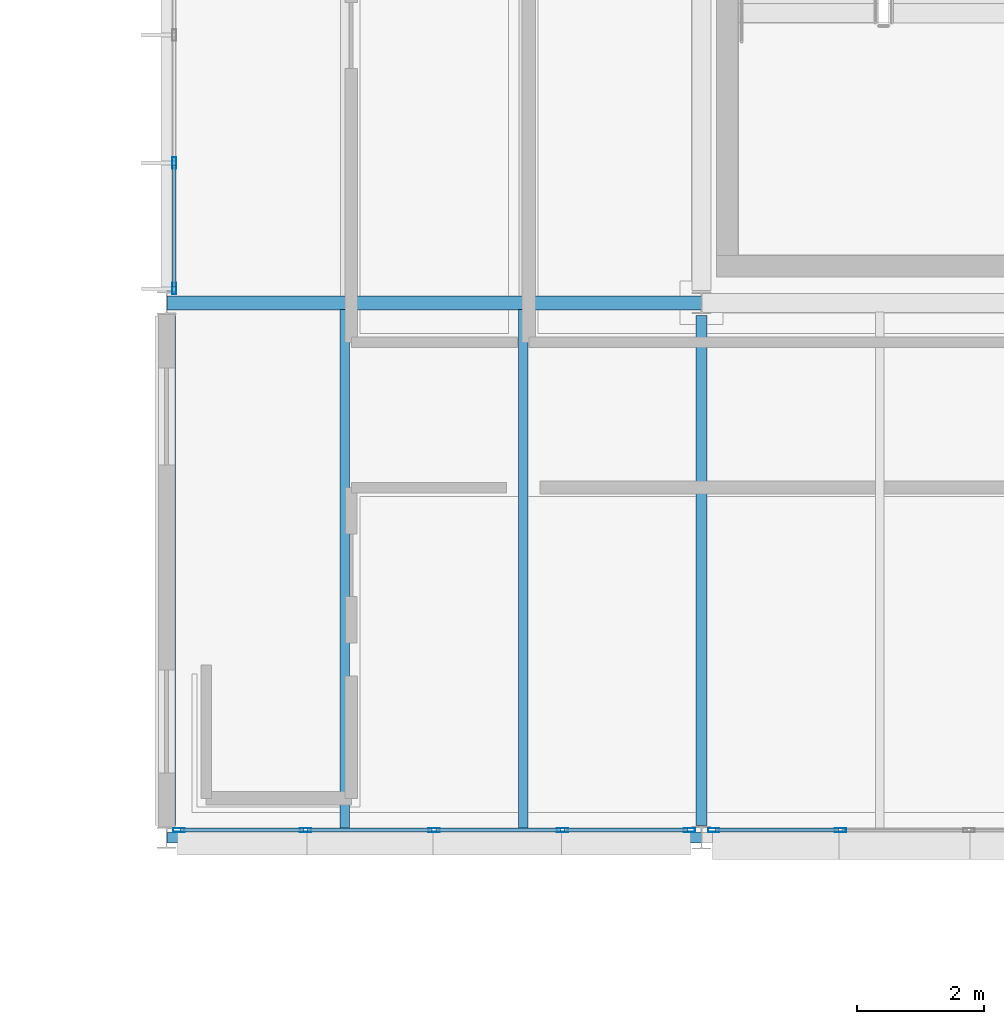
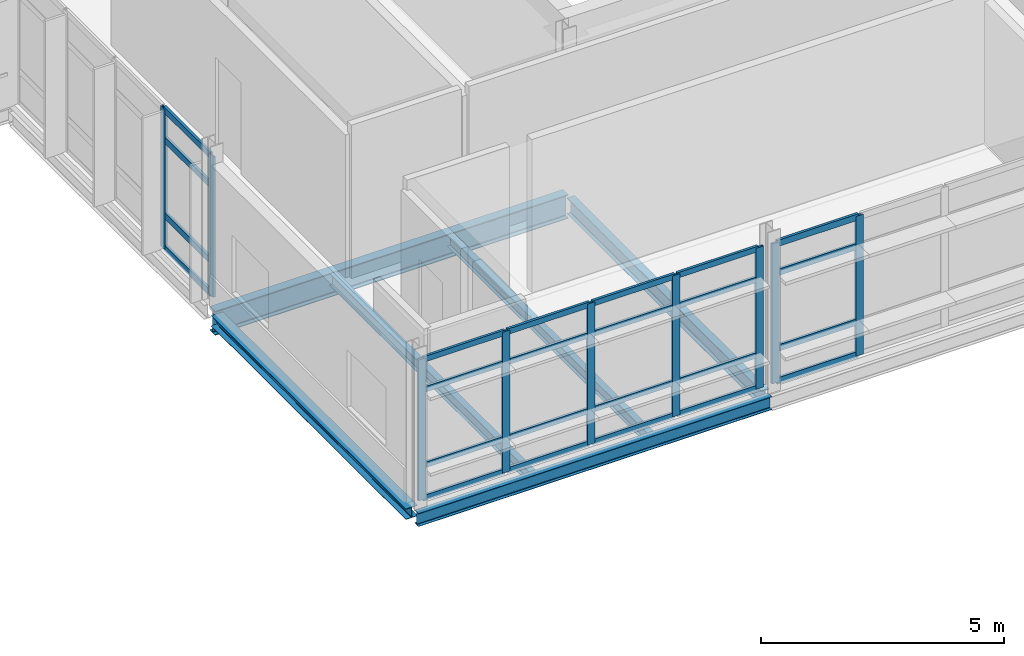
# One storey, part 11 of 57: 33 members, 6 beams, 3 elements without a shape of their own.
"""IFC4 building model written with IfcOpenShell, lengths in metres."""

from ifc_helpers import new_model, si_unit, direction, frame, origin, origin_2d, place, context, subcontext, project, spatial, hollow_rectangle, i_section, extrude, material, material_profile, profile_set, type_object, element, aggregate, save


model = new_model("IFC4")

# Units and contexts
model_context = context("Model", 3, precision=1e-05, world=origin(), true_north=direction((0.0, 1.0)))
body_context = subcontext(model_context, "Body", "Model", "MODEL_VIEW")
ifc_project = project(units=[si_unit("LENGTHUNIT", "METRE"), si_unit("AREAUNIT", "SQUARE_METRE"), si_unit("VOLUMEUNIT", "CUBIC_METRE"), si_unit("PLANEANGLEUNIT", "RADIAN"), si_unit("MASSUNIT", "GRAM", prefix="KILO")], contexts=[model_context])

# Site, building, storey
site_placement = place(None, origin())
site = spatial("IfcSite", under=ifc_project, at=site_placement, CompositionType="ELEMENT")
building_placement = place(site_placement, origin())
building = spatial("IfcBuilding", under=site, at=building_placement, Name="Mersafa Astral City Hall", CompositionType="ELEMENT")
storey_placement = place(building_placement, frame((0.0, 0.0, 26.10009765625)))
storey = spatial("IfcBuildingStorey", under=building, at=storey_placement, Name="L06", CompositionType="ELEMENT", Elevation=26.10009765625)

# Curtain wall, members
ifc_material_1 = material(Name="Anodised bronze aluminium framing", Category="aluminium")
curtain_wall_type_1 = type_object("IfcCurtainWallType", Name="ENV-CW-5", PredefinedType="USERDEFINED", material=ifc_material_1)
curtain_wall_1_placement = place(storey_placement, origin())
curtain_wall_1 = element("IfcCurtainWall", 1, at=curtain_wall_1_placement, inside=storey, type_object=curtain_wall_type_1, Name="L06 Unitised solar curtain wall 250", ObjectType="UNITISED CURTAIN WALL", PredefinedType="USERDEFINED")
ifc_material_profile_1 = material_profile(ifc_material_1, hollow_rectangle(XDim=0.06005859375, YDim=0.179931640625, WallThickness=0.00390625, at=origin_2d()), Name="RHS 60x180x4")
ifc_profile_set_1 = profile_set([ifc_material_profile_1], Name="Anodised bronze aluminium framing")
member_type_1 = type_object("IfcMemberType", Name="ENV-CW-MUL-1", PredefinedType="MULLION", material=ifc_profile_set_1)
member_1_placement = place(storey_placement, frame((142.919921875, 111.3984375, -0.002197265625), z_axis=(0.0, 0.0, 1.0), x_axis=(1.0, 0.0, 0.0)))
member_1 = element("IfcMember", 2, at=member_1_placement, type_object=member_type_1, Name="CW-5 mullion 4", PredefinedType="MULLION", context=body_context, shape_type="SweptSolid", body=[
    extrude(hollow_rectangle(XDim=0.06005859375, YDim=0.179931640625, WallThickness=0.00390625, at=origin_2d()), origin(), (0.0, 0.0, 1.0), 3.524169921875),
])
member_2_placement = place(storey_placement, frame((142.919921875, 109.422119140625, -0.002197265625), z_axis=(0.0, 0.0, 1.0), x_axis=(1.0, 0.0, 0.0)))
member_2 = element("IfcMember", 3, at=member_2_placement, type_object=member_type_1, Name="CW-5 mullion 5", PredefinedType="MULLION", context=body_context, shape_type="SweptSolid", body=[
    extrude(hollow_rectangle(XDim=0.06005859375, YDim=0.179931640625, WallThickness=0.00390625, at=origin_2d()), origin(), (0.0, 0.0, 1.0), 3.524169921875),
])

curtain_wall_type_2 = type_object("IfcCurtainWallType", Name="ENV-CW-6", PredefinedType="USERDEFINED", material=ifc_material_1)
curtain_wall_2_placement = place(storey_placement, origin())
curtain_wall_2 = element("IfcCurtainWall", 4, at=curtain_wall_2_placement, inside=storey, type_object=curtain_wall_type_2, Name="L06 Unitised solar curtain wall 251", ObjectType="UNITISED CURTAIN WALL", PredefinedType="USERDEFINED")
member_3_placement = place(storey_placement, frame((142.991943359375, 100.919921875, -0.002197265625), z_axis=(0.0, 0.0, 1.0), x_axis=(0.0, 1.0, 0.0)))
member_3 = element("IfcMember", 5, at=member_3_placement, type_object=member_type_1, Name="CW-6 mullion 1", PredefinedType="MULLION", context=body_context, shape_type="SweptSolid", body=[
    extrude(hollow_rectangle(XDim=0.06005859375, YDim=0.179931640625, WallThickness=0.00390625, at=origin_2d()), origin(), (0.0, 0.0, 1.0), 3.544189453125),
])
member_4_placement = place(storey_placement, frame((144.98095703125, 100.919921875, -0.002197265625), z_axis=(0.0, 0.0, 1.0), x_axis=(0.0, 1.0, 0.0)))
member_4 = element("IfcMember", 6, at=member_4_placement, type_object=member_type_1, Name="CW-6 mullion 2", PredefinedType="MULLION", context=body_context, shape_type="SweptSolid", body=[
    extrude(hollow_rectangle(XDim=0.06005859375, YDim=0.179931640625, WallThickness=0.00390625, at=origin_2d()), origin(), (0.0, 0.0, 1.0), 3.544189453125),
])
member_5_placement = place(storey_placement, frame((147.0, 100.919921875, -0.002197265625), z_axis=(0.0, 0.0, 1.0), x_axis=(0.0, 1.0, 0.0)))
member_5 = element("IfcMember", 7, at=member_5_placement, type_object=member_type_1, Name="CW-6 mullion 3", PredefinedType="MULLION", context=body_context, shape_type="SweptSolid", body=[
    extrude(hollow_rectangle(XDim=0.06005859375, YDim=0.179931640625, WallThickness=0.00390625, at=origin_2d()), origin(), (0.0, 0.0, 1.0), 3.544189453125),
])
member_6_placement = place(storey_placement, frame((149.01904296875, 100.919921875, -0.002197265625), z_axis=(0.0, 0.0, 1.0), x_axis=(0.0, 1.0, 0.0)))
member_6 = element("IfcMember", 8, at=member_6_placement, type_object=member_type_1, Name="CW-6 mullion 4", PredefinedType="MULLION", context=body_context, shape_type="SweptSolid", body=[
    extrude(hollow_rectangle(XDim=0.06005859375, YDim=0.179931640625, WallThickness=0.00390625, at=origin_2d()), origin(), (0.0, 0.0, 1.0), 3.544189453125),
])
member_7_placement = place(storey_placement, frame((151.008056640625, 100.919921875, -0.002197265625), z_axis=(0.0, 0.0, 1.0), x_axis=(0.0, 1.0, 0.0)))
member_7 = element("IfcMember", 9, at=member_7_placement, type_object=member_type_1, Name="CW-6 mullion 5", PredefinedType="MULLION", context=body_context, shape_type="SweptSolid", body=[
    extrude(hollow_rectangle(XDim=0.06005859375, YDim=0.179931640625, WallThickness=0.00390625, at=origin_2d()), origin(), (0.0, 0.0, 1.0), 3.544189453125),
])

curtain_wall_type_3 = type_object("IfcCurtainWallType", Name="ENV-CW-1", PredefinedType="USERDEFINED", material=ifc_material_1)
curtain_wall_3_placement = place(storey_placement, origin())
curtain_wall_3 = element("IfcCurtainWall", 10, at=curtain_wall_3_placement, inside=storey, type_object=curtain_wall_type_3, Name="L06 Unitised solar curtain wall 252", ObjectType="UNITISED CURTAIN WALL", PredefinedType="USERDEFINED")
member_8_placement = place(storey_placement, frame((151.39208984375, 100.919921875, -0.002197265625), z_axis=(0.0, 0.0, 1.0), x_axis=(0.0, 1.0, 0.0)))
member_8 = element("IfcMember", 11, at=member_8_placement, type_object=member_type_1, Name="CW-1 mullion 1", PredefinedType="MULLION", context=body_context, shape_type="SweptSolid", body=[
    extrude(hollow_rectangle(XDim=0.06005859375, YDim=0.179931640625, WallThickness=0.00390625, at=origin_2d()), origin(), (0.0, 0.0, 1.0), 3.51416015625),
])
member_9_placement = place(storey_placement, frame((153.381103515625, 100.919921875, -0.002197265625), z_axis=(0.0, 0.0, 1.0), x_axis=(0.0, 1.0, 0.0)))
member_9 = element("IfcMember", 12, at=member_9_placement, type_object=member_type_1, Name="CW-1 mullion 2", PredefinedType="MULLION", context=body_context, shape_type="SweptSolid", body=[
    extrude(hollow_rectangle(XDim=0.06005859375, YDim=0.179931640625, WallThickness=0.00390625, at=origin_2d()), origin(), (0.0, 0.0, 1.0), 3.51416015625),
])

# Member
ifc_material_profile_2 = material_profile(ifc_material_1, hollow_rectangle(XDim=0.06005859375, YDim=0.139892578125, WallThickness=0.00390625, at=origin_2d()), Name="RHS 60x140x4")
ifc_profile_set_2 = profile_set([ifc_material_profile_2], Name="Anodised bronze aluminium framing")
member_type_2 = type_object("IfcMemberType", Name="ENV-CW-TRN-1", PredefinedType="USERDEFINED", material=ifc_profile_set_2)
member_10_placement = place(storey_placement, frame((143.02197265625, 100.919921875, 0.02783203125), z_axis=(1.0, 0.0, 0.0), x_axis=(0.0, 1.0, 0.0)))
member_10 = element("IfcMember", 13, at=member_10_placement, type_object=member_type_2, Name="CW-6 transom 1.1", ObjectType="TRANSOM", PredefinedType="USERDEFINED", context=body_context, shape_type="SweptSolid", body=[
    extrude(hollow_rectangle(XDim=0.06005859375, YDim=0.139892578125, WallThickness=0.00390625, at=origin_2d()), origin(), (0.0, 0.0, 1.0), 1.928955078125),
])

member_11_placement = place(storey_placement, frame((143.02197265625, 100.919921875, 0.849853515625), z_axis=(1.0, 0.0, 0.0), x_axis=(0.0, 1.0, 0.0)))
member_11 = element("IfcMember", 14, at=member_11_placement, type_object=member_type_2, Name="CW-6 transom 1.2", ObjectType="TRANSOM", PredefinedType="USERDEFINED", context=body_context, shape_type="SweptSolid", body=[
    extrude(hollow_rectangle(XDim=0.06005859375, YDim=0.139892578125, WallThickness=0.00390625, at=origin_2d()), origin(), (0.0, 0.0, 1.0), 1.928955078125),
])

member_12_placement = place(storey_placement, frame((143.02197265625, 100.919921875, 2.75), z_axis=(1.0, 0.0, 0.0), x_axis=(0.0, 1.0, 0.0)))
member_12 = element("IfcMember", 15, at=member_12_placement, type_object=member_type_2, Name="CW-6 transom 1.3", ObjectType="TRANSOM", PredefinedType="USERDEFINED", context=body_context, shape_type="SweptSolid", body=[
    extrude(hollow_rectangle(XDim=0.06005859375, YDim=0.139892578125, WallThickness=0.00390625, at=origin_2d()), origin(), (0.0, 0.0, 1.0), 1.928955078125),
])

member_13_placement = place(storey_placement, frame((143.02197265625, 100.919921875, 3.511962890625), z_axis=(1.0, 0.0, 0.0), x_axis=(0.0, 1.0, 0.0)))
member_13 = element("IfcMember", 16, at=member_13_placement, type_object=member_type_2, Name="CW-6 transom 1.4", ObjectType="TRANSOM", PredefinedType="USERDEFINED", context=body_context, shape_type="SweptSolid", body=[
    extrude(hollow_rectangle(XDim=0.06005859375, YDim=0.139892578125, WallThickness=0.00390625, at=origin_2d()), origin(), (0.0, 0.0, 1.0), 1.928955078125),
])

member_14_placement = place(storey_placement, frame((145.010986328125, 100.919921875, 0.02783203125), z_axis=(1.0, 0.0, 0.0), x_axis=(0.0, 1.0, 0.0)))
member_14 = element("IfcMember", 17, at=member_14_placement, type_object=member_type_2, Name="CW-6 transom 2.1", ObjectType="TRANSOM", PredefinedType="USERDEFINED", context=body_context, shape_type="SweptSolid", body=[
    extrude(hollow_rectangle(XDim=0.06005859375, YDim=0.139892578125, WallThickness=0.00390625, at=origin_2d()), origin(), (0.0, 0.0, 1.0), 1.958984375),
])

member_15_placement = place(storey_placement, frame((145.010986328125, 100.919921875, 0.849853515625), z_axis=(1.0, 0.0, 0.0), x_axis=(0.0, 1.0, 0.0)))
member_15 = element("IfcMember", 18, at=member_15_placement, type_object=member_type_2, Name="CW-6 transom 2.2", ObjectType="TRANSOM", PredefinedType="USERDEFINED", context=body_context, shape_type="SweptSolid", body=[
    extrude(hollow_rectangle(XDim=0.06005859375, YDim=0.139892578125, WallThickness=0.00390625, at=origin_2d()), origin(), (0.0, 0.0, 1.0), 1.958984375),
])

member_16_placement = place(storey_placement, frame((145.010986328125, 100.919921875, 2.75), z_axis=(1.0, 0.0, 0.0), x_axis=(0.0, 1.0, 0.0)))
member_16 = element("IfcMember", 19, at=member_16_placement, type_object=member_type_2, Name="CW-6 transom 2.3", ObjectType="TRANSOM", PredefinedType="USERDEFINED", context=body_context, shape_type="SweptSolid", body=[
    extrude(hollow_rectangle(XDim=0.06005859375, YDim=0.139892578125, WallThickness=0.00390625, at=origin_2d()), origin(), (0.0, 0.0, 1.0), 1.958984375),
])

member_17_placement = place(storey_placement, frame((145.010986328125, 100.919921875, 3.511962890625), z_axis=(1.0, 0.0, 0.0), x_axis=(0.0, 1.0, 0.0)))
member_17 = element("IfcMember", 20, at=member_17_placement, type_object=member_type_2, Name="CW-6 transom 2.4", ObjectType="TRANSOM", PredefinedType="USERDEFINED", context=body_context, shape_type="SweptSolid", body=[
    extrude(hollow_rectangle(XDim=0.06005859375, YDim=0.139892578125, WallThickness=0.00390625, at=origin_2d()), origin(), (0.0, 0.0, 1.0), 1.958984375),
])

member_18_placement = place(storey_placement, frame((147.030029296875, 100.919921875, 0.02783203125), z_axis=(1.0, 0.0, 0.0), x_axis=(0.0, 1.0, 0.0)))
member_18 = element("IfcMember", 21, at=member_18_placement, type_object=member_type_2, Name="CW-6 transom 3.1", ObjectType="TRANSOM", PredefinedType="USERDEFINED", context=body_context, shape_type="SweptSolid", body=[
    extrude(hollow_rectangle(XDim=0.06005859375, YDim=0.139892578125, WallThickness=0.00390625, at=origin_2d()), origin(), (0.0, 0.0, 1.0), 1.958984375),
])

member_19_placement = place(storey_placement, frame((147.030029296875, 100.919921875, 0.849853515625), z_axis=(1.0, 0.0, 0.0), x_axis=(0.0, 1.0, 0.0)))
member_19 = element("IfcMember", 22, at=member_19_placement, type_object=member_type_2, Name="CW-6 transom 3.2", ObjectType="TRANSOM", PredefinedType="USERDEFINED", context=body_context, shape_type="SweptSolid", body=[
    extrude(hollow_rectangle(XDim=0.06005859375, YDim=0.139892578125, WallThickness=0.00390625, at=origin_2d()), origin(), (0.0, 0.0, 1.0), 1.958984375),
])

member_20_placement = place(storey_placement, frame((147.030029296875, 100.919921875, 2.75), z_axis=(1.0, 0.0, 0.0), x_axis=(0.0, 1.0, 0.0)))
member_20 = element("IfcMember", 23, at=member_20_placement, type_object=member_type_2, Name="CW-6 transom 3.3", ObjectType="TRANSOM", PredefinedType="USERDEFINED", context=body_context, shape_type="SweptSolid", body=[
    extrude(hollow_rectangle(XDim=0.06005859375, YDim=0.139892578125, WallThickness=0.00390625, at=origin_2d()), origin(), (0.0, 0.0, 1.0), 1.958984375),
])

member_21_placement = place(storey_placement, frame((147.030029296875, 100.919921875, 3.511962890625), z_axis=(1.0, 0.0, 0.0), x_axis=(0.0, 1.0, 0.0)))
member_21 = element("IfcMember", 24, at=member_21_placement, type_object=member_type_2, Name="CW-6 transom 3.4", ObjectType="TRANSOM", PredefinedType="USERDEFINED", context=body_context, shape_type="SweptSolid", body=[
    extrude(hollow_rectangle(XDim=0.06005859375, YDim=0.139892578125, WallThickness=0.00390625, at=origin_2d()), origin(), (0.0, 0.0, 1.0), 1.958984375),
])

member_22_placement = place(storey_placement, frame((149.049072265625, 100.919921875, 0.02783203125), z_axis=(1.0, 0.0, 0.0), x_axis=(0.0, 1.0, 0.0)))
member_22 = element("IfcMember", 25, at=member_22_placement, type_object=member_type_2, Name="CW-6 transom 4.1", ObjectType="TRANSOM", PredefinedType="USERDEFINED", context=body_context, shape_type="SweptSolid", body=[
    extrude(hollow_rectangle(XDim=0.06005859375, YDim=0.139892578125, WallThickness=0.00390625, at=origin_2d()), origin(), (0.0, 0.0, 1.0), 1.928955078125),
])

member_23_placement = place(storey_placement, frame((149.049072265625, 100.919921875, 0.849853515625), z_axis=(1.0, 0.0, 0.0), x_axis=(0.0, 1.0, 0.0)))
member_23 = element("IfcMember", 26, at=member_23_placement, type_object=member_type_2, Name="CW-6 transom 4.2", ObjectType="TRANSOM", PredefinedType="USERDEFINED", context=body_context, shape_type="SweptSolid", body=[
    extrude(hollow_rectangle(XDim=0.06005859375, YDim=0.139892578125, WallThickness=0.00390625, at=origin_2d()), origin(), (0.0, 0.0, 1.0), 1.928955078125),
])

member_24_placement = place(storey_placement, frame((149.049072265625, 100.919921875, 2.75), z_axis=(1.0, 0.0, 0.0), x_axis=(0.0, 1.0, 0.0)))
member_24 = element("IfcMember", 27, at=member_24_placement, type_object=member_type_2, Name="CW-6 transom 4.3", ObjectType="TRANSOM", PredefinedType="USERDEFINED", context=body_context, shape_type="SweptSolid", body=[
    extrude(hollow_rectangle(XDim=0.06005859375, YDim=0.139892578125, WallThickness=0.00390625, at=origin_2d()), origin(), (0.0, 0.0, 1.0), 1.928955078125),
])

member_25_placement = place(storey_placement, frame((149.049072265625, 100.919921875, 3.511962890625), z_axis=(1.0, 0.0, 0.0), x_axis=(0.0, 1.0, 0.0)))
member_25 = element("IfcMember", 28, at=member_25_placement, type_object=member_type_2, Name="CW-6 transom 4.4", ObjectType="TRANSOM", PredefinedType="USERDEFINED", context=body_context, shape_type="SweptSolid", body=[
    extrude(hollow_rectangle(XDim=0.06005859375, YDim=0.139892578125, WallThickness=0.00390625, at=origin_2d()), origin(), (0.0, 0.0, 1.0), 1.928955078125),
])

aggregate(curtain_wall_2, [member_3, member_4, member_5, member_6, member_7, member_10, member_11, member_12, member_13, member_14, member_15, member_16, member_17, member_18, member_19, member_20, member_21, member_22, member_23, member_24, member_25])

ifc_material_profile_3 = material_profile(ifc_material_1, hollow_rectangle(XDim=0.06005859375, YDim=0.159912109375, WallThickness=0.00390625, at=origin_2d()), Name="RHS 60x160x4")
ifc_profile_set_3 = profile_set([ifc_material_profile_3], Name="Anodised bronze aluminium framing")
member_type_3 = type_object("IfcMemberType", Name="ENV-CW-TRN-2", PredefinedType="USERDEFINED", material=ifc_profile_set_3)
member_26_placement = place(storey_placement, frame((142.919921875, 111.368408203125, 0.02783203125), z_axis=(0.0, -1.0, 0.0), x_axis=(1.0, 0.0, 0.0)))
member_26 = element("IfcMember", 29, at=member_26_placement, type_object=member_type_3, Name="CW-5 transom 4.1", ObjectType="TRANSOM", PredefinedType="USERDEFINED", context=body_context, shape_type="SweptSolid", body=[
    extrude(hollow_rectangle(XDim=0.06005859375, YDim=0.159912109375, WallThickness=0.00390625, at=origin_2d()), origin(), (0.0, 0.0, 1.0), 1.91650390625),
])

member_27_placement = place(storey_placement, frame((142.919921875, 111.368408203125, 0.849853515625), z_axis=(0.0, -1.0, 0.0), x_axis=(1.0, 0.0, 0.0)))
member_27 = element("IfcMember", 30, at=member_27_placement, type_object=member_type_3, Name="CW-5 transom 4.2", ObjectType="TRANSOM", PredefinedType="USERDEFINED", context=body_context, shape_type="SweptSolid", body=[
    extrude(hollow_rectangle(XDim=0.06005859375, YDim=0.159912109375, WallThickness=0.00390625, at=origin_2d()), origin(), (0.0, 0.0, 1.0), 1.91650390625),
])

member_28_placement = place(storey_placement, frame((142.919921875, 111.368408203125, 2.75), z_axis=(0.0, -1.0, 0.0), x_axis=(1.0, 0.0, 0.0)))
member_28 = element("IfcMember", 31, at=member_28_placement, type_object=member_type_3, Name="CW-5 transom 4.3", ObjectType="TRANSOM", PredefinedType="USERDEFINED", context=body_context, shape_type="SweptSolid", body=[
    extrude(hollow_rectangle(XDim=0.06005859375, YDim=0.159912109375, WallThickness=0.00390625, at=origin_2d()), origin(), (0.0, 0.0, 1.0), 1.91650390625),
])

member_29_placement = place(storey_placement, frame((142.919921875, 111.368408203125, 3.491943359375), z_axis=(0.0, -1.0, 0.0), x_axis=(1.0, 0.0, 0.0)))
member_29 = element("IfcMember", 32, at=member_29_placement, type_object=member_type_3, Name="CW-5 transom 4.4", ObjectType="TRANSOM", PredefinedType="USERDEFINED", context=body_context, shape_type="SweptSolid", body=[
    extrude(hollow_rectangle(XDim=0.06005859375, YDim=0.159912109375, WallThickness=0.00390625, at=origin_2d()), origin(), (0.0, 0.0, 1.0), 1.91650390625),
])

aggregate(curtain_wall_1, [member_1, member_2, member_26, member_27, member_28, member_29])

member_30_placement = place(storey_placement, frame((151.422119140625, 100.919921875, 0.02783203125), z_axis=(1.0, 0.0, 0.0), x_axis=(0.0, 1.0, 0.0)))
member_30 = element("IfcMember", 33, at=member_30_placement, type_object=member_type_3, Name="CW-1 transom 1.1", ObjectType="TRANSOM", PredefinedType="USERDEFINED", context=body_context, shape_type="SweptSolid", body=[
    extrude(hollow_rectangle(XDim=0.06005859375, YDim=0.159912109375, WallThickness=0.00390625, at=origin_2d()), origin(), (0.0, 0.0, 1.0), 1.928955078125),
])

member_31_placement = place(storey_placement, frame((151.422119140625, 100.919921875, 0.849853515625), z_axis=(1.0, 0.0, 0.0), x_axis=(0.0, 1.0, 0.0)))
member_31 = element("IfcMember", 34, at=member_31_placement, type_object=member_type_3, Name="CW-1 transom 1.2", ObjectType="TRANSOM", PredefinedType="USERDEFINED", context=body_context, shape_type="SweptSolid", body=[
    extrude(hollow_rectangle(XDim=0.06005859375, YDim=0.159912109375, WallThickness=0.00390625, at=origin_2d()), origin(), (0.0, 0.0, 1.0), 1.928955078125),
])

member_32_placement = place(storey_placement, frame((151.422119140625, 100.919921875, 2.75), z_axis=(1.0, 0.0, 0.0), x_axis=(0.0, 1.0, 0.0)))
member_32 = element("IfcMember", 35, at=member_32_placement, type_object=member_type_3, Name="CW-1 transom 1.3", ObjectType="TRANSOM", PredefinedType="USERDEFINED", context=body_context, shape_type="SweptSolid", body=[
    extrude(hollow_rectangle(XDim=0.06005859375, YDim=0.159912109375, WallThickness=0.00390625, at=origin_2d()), origin(), (0.0, 0.0, 1.0), 1.928955078125),
])

member_33_placement = place(storey_placement, frame((151.422119140625, 100.919921875, 3.48193359375), z_axis=(1.0, 0.0, 0.0), x_axis=(0.0, 1.0, 0.0)))
member_33 = element("IfcMember", 36, at=member_33_placement, type_object=member_type_3, Name="CW-1 transom 1.4", ObjectType="TRANSOM", PredefinedType="USERDEFINED", context=body_context, shape_type="SweptSolid", body=[
    extrude(hollow_rectangle(XDim=0.06005859375, YDim=0.159912109375, WallThickness=0.00390625, at=origin_2d()), origin(), (0.0, 0.0, 1.0), 1.928955078125),
])

aggregate(curtain_wall_3, [member_8, member_9, member_30, member_31, member_32, member_33])

# Beams
ifc_material_2 = material(Name="Steel S355", Category="steel")
ifc_material_profile_4 = material_profile(ifc_material_2, i_section(OverallWidth=0.179931640625, OverallDepth=0.39990234375, WebThickness=0.008544921875, FlangeThickness=0.013427734375, FilletRadius=0.02099609375, at=origin_2d()), Name="IPE 400")
ifc_profile_set_4 = profile_set([ifc_material_profile_4], Name="Steel S355")
beam_type_1 = type_object("IfcBeamType", Name="STR-BM-IPE400", PredefinedType="BEAM", material=ifc_profile_set_4)
beam_1_placement = place(storey_placement, frame((151.199951171875, 100.9951171875, -0.375), z_axis=(0.0, 1.0, 0.0), x_axis=(-1.0, 0.0, 0.0)))
element("IfcBeam", 37, at=beam_1_placement, inside=storey, type_object=beam_type_1, Name="L06 Primary girder Y 18-12", PredefinedType="BEAM", context=body_context, shape_type="SweptSolid", body=[
    extrude(i_section(OverallWidth=0.179931640625, OverallDepth=0.39990234375, WebThickness=0.008544921875, FlangeThickness=0.013427734375, FilletRadius=0.02099609375, at=origin_2d()), origin(), (0.0, 0.0, 1.0), 8.009765625),
])
ifc_material_profile_5 = material_profile(ifc_material_2, i_section(OverallWidth=0.219970703125, OverallDepth=0.60009765625, WebThickness=0.011962890625, FlangeThickness=0.01904296875, FilletRadius=0.02392578125, at=origin_2d()), Name="IPE 600")
ifc_profile_set_5 = profile_set([ifc_material_profile_5], Name="Steel S355")
beam_type_2 = type_object("IfcBeamType", Name="STR-BM-IPE600", PredefinedType="BEAM", material=ifc_profile_set_5)
beam_2_placement = place(storey_placement, frame((142.802978515625, 109.199951171875, -0.47509765625), z_axis=(1.0, 0.0, 0.0), x_axis=(0.0, 1.0, 0.0)))
element("IfcBeam", 38, at=beam_2_placement, inside=storey, type_object=beam_type_2, Name="L06 Primary girder X 17-13", PredefinedType="BEAM", context=body_context, shape_type="SweptSolid", body=[
    extrude(i_section(OverallWidth=0.219970703125, OverallDepth=0.60009765625, WebThickness=0.011962890625, FlangeThickness=0.01904296875, FilletRadius=0.02392578125, at=origin_2d()), origin(), (0.0, 0.0, 1.0), 8.39404296875),
])
ifc_material_profile_6 = material_profile(ifc_material_2, i_section(OverallWidth=0.14990234375, OverallDepth=0.300048828125, WebThickness=0.007080078125, FlangeThickness=0.0107421875, FilletRadius=0.014892578125, at=origin_2d()), Name="IPE 300")
ifc_profile_set_6 = profile_set([ifc_material_profile_6], Name="Steel S355")
beam_type_3 = type_object("IfcBeamType", Name="STR-BM-JOIST-IPE300", PredefinedType="JOIST", material=ifc_profile_set_6)
for number, where, z_axis, x_axis, name in (
    (39, (145.60009765625, 100.875, -0.3251953125), (0.0, 1.0, 0.0), (-1.0, 0.0, 0.0), "L06 Composite secondary floor joist 866"),
    (40, (148.39990234375, 100.875, -0.3251953125), (0.0, 1.0, 0.0), (-1.0, 0.0, 0.0), "L06 Composite secondary floor joist 867"),
):
    element("IfcBeam", number, at=place(storey_placement, frame(where, z_axis=z_axis, x_axis=x_axis)), inside=storey, type_object=beam_type_3, Name=name, PredefinedType="JOIST", context=body_context, shape_type="SweptSolid", body=[
        extrude(i_section(OverallWidth=0.14990234375, OverallDepth=0.300048828125, WebThickness=0.007080078125, FlangeThickness=0.0107421875, FilletRadius=0.014892578125, at=origin_2d()), origin(), (0.0, 0.0, 1.0), 8.219970703125),
    ])
ifc_material_profile_7 = material_profile(ifc_material_2, i_section(OverallWidth=0.280029296875, OverallDepth=0.27001953125, WebThickness=0.008056640625, FlangeThickness=0.012939453125, FilletRadius=0.02392578125, at=origin_2d()), Name="HEA 280")
ifc_profile_set_7 = profile_set([ifc_material_profile_7], Name="Steel S355")
beam_type_4 = type_object("IfcBeamType", Name="STR-BM-SPANDREL-HEA280", PredefinedType="SPANDREL", material=ifc_profile_set_7)
beam_3_placement = place(storey_placement, frame((142.800048828125, 100.9951171875, -0.31005859375), z_axis=(0.0, 1.0, 0.0), x_axis=(-1.0, 0.0, 0.0)))
element("IfcBeam", 41, at=beam_3_placement, inside=storey, type_object=beam_type_4, Name="L06 Primary girder Y 17-12", PredefinedType="SPANDREL", context=body_context, shape_type="SweptSolid", body=[
    extrude(i_section(OverallWidth=0.280029296875, OverallDepth=0.27001953125, WebThickness=0.008056640625, FlangeThickness=0.012939453125, FilletRadius=0.02392578125, at=origin_2d()), origin(), (0.0, 0.0, 1.0), 8.009765625),
])
ifc_material_profile_8 = material_profile(ifc_material_2, i_section(OverallWidth=0.159912109375, OverallDepth=0.330078125, WebThickness=0.007568359375, FlangeThickness=0.011474609375, FilletRadius=0.01806640625, at=origin_2d()), Name="IPE 330")
ifc_profile_set_8 = profile_set([ifc_material_profile_8], Name="Steel S355")
beam_type_5 = type_object("IfcBeamType", Name="STR-BM-SPANDREL-IPE330", PredefinedType="SPANDREL", material=ifc_profile_set_8)
beam_4_placement = place(storey_placement, frame((142.802978515625, 100.800048828125, -0.340087890625), z_axis=(1.0, 0.0, 0.0), x_axis=(0.0, 1.0, 0.0)))
element("IfcBeam", 42, at=beam_4_placement, inside=storey, type_object=beam_type_5, Name="L06 Primary girder X 17-12", PredefinedType="SPANDREL", context=body_context, shape_type="SweptSolid", body=[
    extrude(i_section(OverallWidth=0.159912109375, OverallDepth=0.330078125, WebThickness=0.007568359375, FlangeThickness=0.011474609375, FilletRadius=0.01806640625, at=origin_2d()), origin(), (0.0, 0.0, 1.0), 8.39404296875),
])

save(model, "model.ifc")
